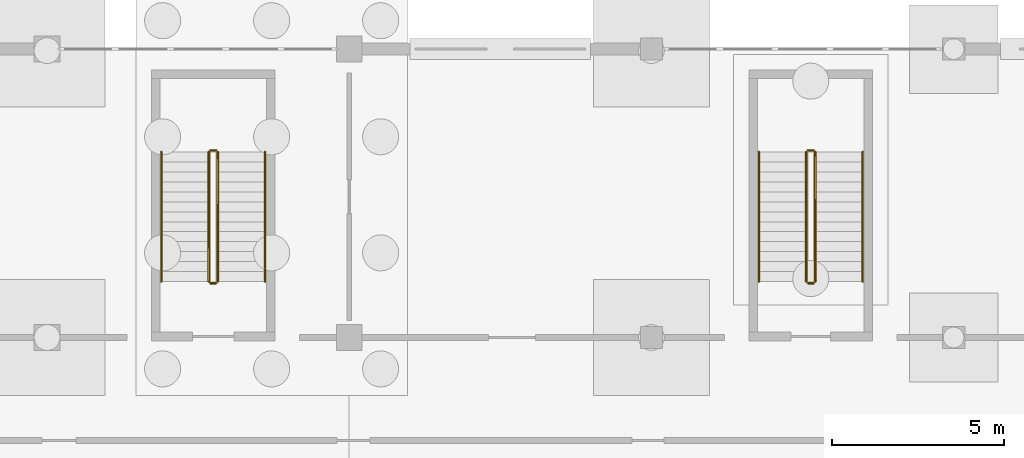
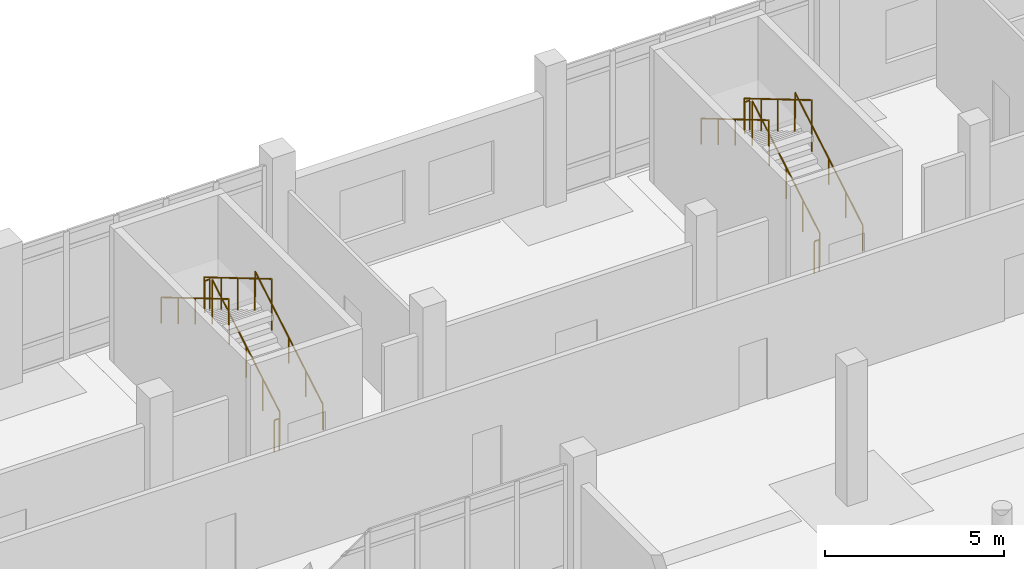
# One storey, part 68 of 72: 12 railings.
"""IFC4 building model written with IfcOpenShell, lengths in metres."""

from ifc_helpers import new_model, si_unit, direction, frame, origin, origin_2d, place, context, subcontext, project, spatial, circle, extrude, material, type_object, element, save


model = new_model("IFC4")

# Units and contexts
model_context = context("Model", 3, precision=1e-05, world=origin(), true_north=direction((0.0, 1.0)))
body_context = subcontext(model_context, "Body", "Model", "MODEL_VIEW")
ifc_project = project(units=[si_unit("LENGTHUNIT", "METRE"), si_unit("AREAUNIT", "SQUARE_METRE"), si_unit("VOLUMEUNIT", "CUBIC_METRE"), si_unit("PLANEANGLEUNIT", "RADIAN"), si_unit("MASSUNIT", "GRAM", prefix="KILO")], contexts=[model_context])

# Site, building, storey
site_placement = place(None, origin())
site = spatial("IfcSite", under=ifc_project, at=site_placement, CompositionType="ELEMENT")
building_placement = place(site_placement, origin())
building = spatial("IfcBuilding", under=site, at=building_placement, Name="Cinderway Yard Community Centre", CompositionType="ELEMENT")
storey_placement = place(building_placement, origin())
storey = spatial("IfcBuildingStorey", under=building, at=storey_placement, Name="L00", CompositionType="ELEMENT", Elevation=0.0)

# Railings
ifc_material = material(Name="Painted Galvanised Steel", Category="steel")
railing_type_1 = type_object("IfcRailingType", Name="INT-RAL-GRD112", PredefinedType="GUARDRAIL", material=ifc_material)
railing_1_placement = place(storey_placement, frame((115.3701171875, 108.429931640625, 0.17138671875)))
element("IfcRailing", 1, at=railing_1_placement, inside=storey, type_object=railing_type_1, Name="L00 ST-03 stair guard 1", PredefinedType="GUARDRAIL", context=body_context, shape_type="SweptSolid", body=[
    extrude(circle(Radius=0.02392578125, at=origin_2d()), frame((0.0, 0.0, 1.076171875), z_axis=(0.0, 0.860848830602, 0.508860777473), x_axis=(-1.0, 0.0, 0.0)), (0.0, 0.0, 1.0), 4.37939453125),
    extrude(circle(Radius=0.02099609375, at=origin_2d()), origin(), (0.0, 0.0, 1.0), 1.052001953125),
    extrude(circle(Radius=0.02099609375, at=origin_2d()), frame((0.0, 0.9423828125, 0.55712890625)), (0.0, 0.0, 1.0), 1.052001953125),
    extrude(circle(Radius=0.02099609375, at=origin_2d()), frame((0.0, 1.885009765625, 1.1142578125)), (0.0, 0.0, 1.0), 1.052001953125),
    extrude(circle(Radius=0.02099609375, at=origin_2d()), frame((0.0, 2.82763671875, 1.67138671875)), (0.0, 0.0, 1.0), 1.052001953125),
    extrude(circle(Radius=0.02099609375, at=origin_2d()), frame((0.0, 3.77001953125, 2.228515625)), (0.0, 0.0, 1.0), 1.052001953125),
])
railing_2_placement = place(storey_placement, frame((115.320068359375, 112.25, 2.39990234375)))
element("IfcRailing", 2, at=railing_2_placement, inside=storey, type_object=railing_type_1, Name="L00 ST-03 stair guard 2", PredefinedType="GUARDRAIL", context=body_context, shape_type="SweptSolid", body=[
    extrude(circle(Radius=0.02392578125, at=origin_2d()), frame((0.0, 0.0, 1.076171875), z_axis=(-1.0, 0.0, 0.0), x_axis=(0.0, -1.0, 0.0)), (0.0, 0.0, 1.0), 0.16015625),
    extrude(circle(Radius=0.02099609375, at=origin_2d()), origin(), (0.0, 0.0, 1.0), 1.052001953125),
    extrude(circle(Radius=0.02099609375, at=origin_2d()), frame((-0.16015625, 0.0, 0.0)), (0.0, 0.0, 1.0), 1.052001953125),
])
railing_3_placement = place(storey_placement, frame((115.110107421875, 112.199951171875, 2.571533203125)))
element("IfcRailing", 3, at=railing_3_placement, inside=storey, type_object=railing_type_1, Name="L00 ST-03 stair guard 3", PredefinedType="GUARDRAIL", context=body_context, shape_type="SweptSolid", body=[
    extrude(circle(Radius=0.02392578125, at=origin_2d()), frame((0.0, 0.0, 1.076171875), z_axis=(0.0, -0.860848830602, 0.508860777473), x_axis=(1.0, 0.0, 0.0)), (0.0, 0.0, 1.0), 4.37939453125),
    extrude(circle(Radius=0.02099609375, at=origin_2d()), origin(), (0.0, 0.0, 1.0), 1.052001953125),
    extrude(circle(Radius=0.02099609375, at=origin_2d()), frame((0.0, -0.9423828125, 0.55712890625)), (0.0, 0.0, 1.0), 1.052001953125),
    extrude(circle(Radius=0.02099609375, at=origin_2d()), frame((0.0, -1.885009765625, 1.1142578125)), (0.0, 0.0, 1.0), 1.052001953125),
    extrude(circle(Radius=0.02099609375, at=origin_2d()), frame((0.0, -2.82763671875, 1.67138671875)), (0.0, 0.0, 1.0), 1.052001953125),
    extrude(circle(Radius=0.02099609375, at=origin_2d()), frame((0.0, -3.77001953125, 2.228515625)), (0.0, 0.0, 1.0), 1.052001953125),
])
railing_4_placement = place(storey_placement, frame((115.320068359375, 108.3798828125, 0.0)))
element("IfcRailing", 4, at=railing_4_placement, inside=storey, type_object=railing_type_1, Name="L00 ST-03 stair guard 4", PredefinedType="GUARDRAIL", context=body_context, shape_type="SweptSolid", body=[
    extrude(circle(Radius=0.02392578125, at=origin_2d()), frame((0.0, 0.0, 1.076171875), z_axis=(-1.0, 0.0, 0.0), x_axis=(0.0, -1.0, 0.0)), (0.0, 0.0, 1.0), 0.16015625),
    extrude(circle(Radius=0.02099609375, at=origin_2d()), origin(), (0.0, 0.0, 1.0), 1.052001953125),
    extrude(circle(Radius=0.02099609375, at=origin_2d()), frame((-0.16015625, 0.0, 0.0)), (0.0, 0.0, 1.0), 1.052001953125),
])
railing_5_placement = place(storey_placement, frame((132.77001953125, 108.429931640625, 0.17138671875)))
element("IfcRailing", 5, at=railing_5_placement, inside=storey, type_object=railing_type_1, Name="L00 ST-04 stair guard 1", PredefinedType="GUARDRAIL", context=body_context, shape_type="SweptSolid", body=[
    extrude(circle(Radius=0.02392578125, at=origin_2d()), frame((0.0, 0.0, 1.076171875), z_axis=(0.0, 0.860848830602, 0.508860777473), x_axis=(-1.0, 0.0, 0.0)), (0.0, 0.0, 1.0), 4.37939453125),
    extrude(circle(Radius=0.02099609375, at=origin_2d()), origin(), (0.0, 0.0, 1.0), 1.052001953125),
    extrude(circle(Radius=0.02099609375, at=origin_2d()), frame((0.0, 0.9423828125, 0.55712890625)), (0.0, 0.0, 1.0), 1.052001953125),
    extrude(circle(Radius=0.02099609375, at=origin_2d()), frame((0.0, 1.885009765625, 1.1142578125)), (0.0, 0.0, 1.0), 1.052001953125),
    extrude(circle(Radius=0.02099609375, at=origin_2d()), frame((0.0, 2.82763671875, 1.67138671875)), (0.0, 0.0, 1.0), 1.052001953125),
    extrude(circle(Radius=0.02099609375, at=origin_2d()), frame((0.0, 3.77001953125, 2.228515625)), (0.0, 0.0, 1.0), 1.052001953125),
])
railing_6_placement = place(storey_placement, frame((132.719970703125, 112.25, 2.39990234375)))
element("IfcRailing", 6, at=railing_6_placement, inside=storey, type_object=railing_type_1, Name="L00 ST-04 stair guard 2", PredefinedType="GUARDRAIL", context=body_context, shape_type="SweptSolid", body=[
    extrude(circle(Radius=0.02392578125, at=origin_2d()), frame((0.0, 0.0, 1.076171875), z_axis=(-1.0, 0.0, 0.0), x_axis=(0.0, -1.0, 0.0)), (0.0, 0.0, 1.0), 0.159912109375),
    extrude(circle(Radius=0.02099609375, at=origin_2d()), origin(), (0.0, 0.0, 1.0), 1.052001953125),
    extrude(circle(Radius=0.02099609375, at=origin_2d()), frame((-0.159912109375, 0.0, 0.0)), (0.0, 0.0, 1.0), 1.052001953125),
])
railing_7_placement = place(storey_placement, frame((132.510009765625, 112.199951171875, 2.571533203125)))
element("IfcRailing", 7, at=railing_7_placement, inside=storey, type_object=railing_type_1, Name="L00 ST-04 stair guard 3", PredefinedType="GUARDRAIL", context=body_context, shape_type="SweptSolid", body=[
    extrude(circle(Radius=0.02392578125, at=origin_2d()), frame((0.0, 0.0, 1.076171875), z_axis=(0.0, -0.860848830602, 0.508860777473), x_axis=(1.0, 0.0, 0.0)), (0.0, 0.0, 1.0), 4.37939453125),
    extrude(circle(Radius=0.02099609375, at=origin_2d()), origin(), (0.0, 0.0, 1.0), 1.052001953125),
    extrude(circle(Radius=0.02099609375, at=origin_2d()), frame((0.0, -0.9423828125, 0.55712890625)), (0.0, 0.0, 1.0), 1.052001953125),
    extrude(circle(Radius=0.02099609375, at=origin_2d()), frame((0.0, -1.885009765625, 1.1142578125)), (0.0, 0.0, 1.0), 1.052001953125),
    extrude(circle(Radius=0.02099609375, at=origin_2d()), frame((0.0, -2.82763671875, 1.67138671875)), (0.0, 0.0, 1.0), 1.052001953125),
    extrude(circle(Radius=0.02099609375, at=origin_2d()), frame((0.0, -3.77001953125, 2.228515625)), (0.0, 0.0, 1.0), 1.052001953125),
])
railing_8_placement = place(storey_placement, frame((132.719970703125, 108.3798828125, 0.0)))
element("IfcRailing", 8, at=railing_8_placement, inside=storey, type_object=railing_type_1, Name="L00 ST-04 stair guard 4", PredefinedType="GUARDRAIL", context=body_context, shape_type="SweptSolid", body=[
    extrude(circle(Radius=0.02392578125, at=origin_2d()), frame((0.0, 0.0, 1.076171875), z_axis=(-1.0, 0.0, 0.0), x_axis=(0.0, -1.0, 0.0)), (0.0, 0.0, 1.0), 0.159912109375),
    extrude(circle(Radius=0.02099609375, at=origin_2d()), origin(), (0.0, 0.0, 1.0), 1.052001953125),
    extrude(circle(Radius=0.02099609375, at=origin_2d()), frame((-0.159912109375, 0.0, 0.0)), (0.0, 0.0, 1.0), 1.052001953125),
])
railing_type_2 = type_object("IfcRailingType", Name="INT-RAL-HND090", PredefinedType="HANDRAIL", material=ifc_material)
railing_9_placement = place(storey_placement, frame((116.75, 108.429931640625, 0.17138671875)))
element("IfcRailing", 9, at=railing_9_placement, inside=storey, type_object=railing_type_2, Name="L00 ST-03 stair handrail 1", PredefinedType="HANDRAIL", context=body_context, shape_type="SweptSolid", body=[
    extrude(circle(Radius=0.02392578125, at=origin_2d()), frame((0.0, 0.0, 0.8759765625), z_axis=(0.0, 0.860848830602, 0.508860777473), x_axis=(-1.0, 0.0, 0.0)), (0.0, 0.0, 1.0), 4.37939453125),
    extrude(circle(Radius=0.02099609375, at=origin_2d()), origin(), (0.0, 0.0, 1.0), 0.851806640625),
    extrude(circle(Radius=0.02099609375, at=origin_2d()), frame((0.0, 0.9423828125, 0.55712890625)), (0.0, 0.0, 1.0), 0.851806640625),
    extrude(circle(Radius=0.02099609375, at=origin_2d()), frame((0.0, 1.885009765625, 1.1142578125)), (0.0, 0.0, 1.0), 0.851806640625),
    extrude(circle(Radius=0.02099609375, at=origin_2d()), frame((0.0, 2.82763671875, 1.67138671875)), (0.0, 0.0, 1.0), 0.851806640625),
    extrude(circle(Radius=0.02099609375, at=origin_2d()), frame((0.0, 3.77001953125, 2.228515625)), (0.0, 0.0, 1.0), 0.851806640625),
])
railing_10_placement = place(storey_placement, frame((113.72998046875, 112.199951171875, 2.571533203125)))
element("IfcRailing", 10, at=railing_10_placement, inside=storey, type_object=railing_type_2, Name="L00 ST-03 stair handrail 2", PredefinedType="HANDRAIL", context=body_context, shape_type="SweptSolid", body=[
    extrude(circle(Radius=0.02392578125, at=origin_2d()), frame((0.0, 0.0, 0.8759765625), z_axis=(0.0, -0.860848830602, 0.508860777473), x_axis=(1.0, 0.0, 0.0)), (0.0, 0.0, 1.0), 4.37939453125),
    extrude(circle(Radius=0.02099609375, at=origin_2d()), origin(), (0.0, 0.0, 1.0), 0.851806640625),
    extrude(circle(Radius=0.02099609375, at=origin_2d()), frame((0.0, -0.9423828125, 0.55712890625)), (0.0, 0.0, 1.0), 0.851806640625),
    extrude(circle(Radius=0.02099609375, at=origin_2d()), frame((0.0, -1.885009765625, 1.1142578125)), (0.0, 0.0, 1.0), 0.851806640625),
    extrude(circle(Radius=0.02099609375, at=origin_2d()), frame((0.0, -2.82763671875, 1.67138671875)), (0.0, 0.0, 1.0), 0.851806640625),
    extrude(circle(Radius=0.02099609375, at=origin_2d()), frame((0.0, -3.77001953125, 2.228515625)), (0.0, 0.0, 1.0), 0.851806640625),
])
railing_11_placement = place(storey_placement, frame((134.14990234375, 108.429931640625, 0.17138671875)))
element("IfcRailing", 11, at=railing_11_placement, inside=storey, type_object=railing_type_2, Name="L00 ST-04 stair handrail 1", PredefinedType="HANDRAIL", context=body_context, shape_type="SweptSolid", body=[
    extrude(circle(Radius=0.02392578125, at=origin_2d()), frame((0.0, 0.0, 0.8759765625), z_axis=(0.0, 0.860848830602, 0.508860777473), x_axis=(-1.0, 0.0, 0.0)), (0.0, 0.0, 1.0), 4.37939453125),
    extrude(circle(Radius=0.02099609375, at=origin_2d()), origin(), (0.0, 0.0, 1.0), 0.851806640625),
    extrude(circle(Radius=0.02099609375, at=origin_2d()), frame((0.0, 0.9423828125, 0.55712890625)), (0.0, 0.0, 1.0), 0.851806640625),
    extrude(circle(Radius=0.02099609375, at=origin_2d()), frame((0.0, 1.885009765625, 1.1142578125)), (0.0, 0.0, 1.0), 0.851806640625),
    extrude(circle(Radius=0.02099609375, at=origin_2d()), frame((0.0, 2.82763671875, 1.67138671875)), (0.0, 0.0, 1.0), 0.851806640625),
    extrude(circle(Radius=0.02099609375, at=origin_2d()), frame((0.0, 3.77001953125, 2.228515625)), (0.0, 0.0, 1.0), 0.851806640625),
])
railing_12_placement = place(storey_placement, frame((131.1298828125, 112.199951171875, 2.571533203125)))
element("IfcRailing", 12, at=railing_12_placement, inside=storey, type_object=railing_type_2, Name="L00 ST-04 stair handrail 2", PredefinedType="HANDRAIL", context=body_context, shape_type="SweptSolid", body=[
    extrude(circle(Radius=0.02392578125, at=origin_2d()), frame((0.0, 0.0, 0.8759765625), z_axis=(0.0, -0.860848830602, 0.508860777473), x_axis=(1.0, 0.0, 0.0)), (0.0, 0.0, 1.0), 4.37939453125),
    extrude(circle(Radius=0.02099609375, at=origin_2d()), origin(), (0.0, 0.0, 1.0), 0.851806640625),
    extrude(circle(Radius=0.02099609375, at=origin_2d()), frame((0.0, -0.9423828125, 0.55712890625)), (0.0, 0.0, 1.0), 0.851806640625),
    extrude(circle(Radius=0.02099609375, at=origin_2d()), frame((0.0, -1.885009765625, 1.1142578125)), (0.0, 0.0, 1.0), 0.851806640625),
    extrude(circle(Radius=0.02099609375, at=origin_2d()), frame((0.0, -2.82763671875, 1.67138671875)), (0.0, 0.0, 1.0), 0.851806640625),
    extrude(circle(Radius=0.02099609375, at=origin_2d()), frame((0.0, -3.77001953125, 2.228515625)), (0.0, 0.0, 1.0), 0.851806640625),
])

save(model, "model.ifc")
